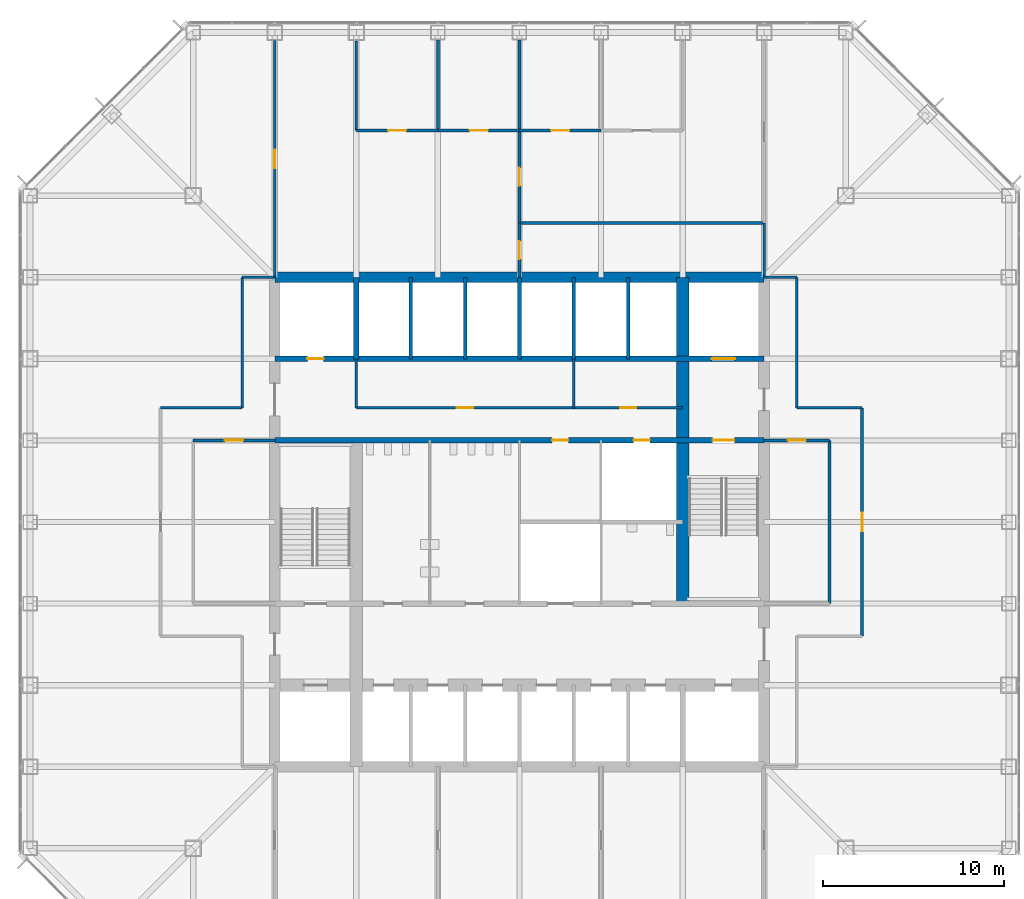
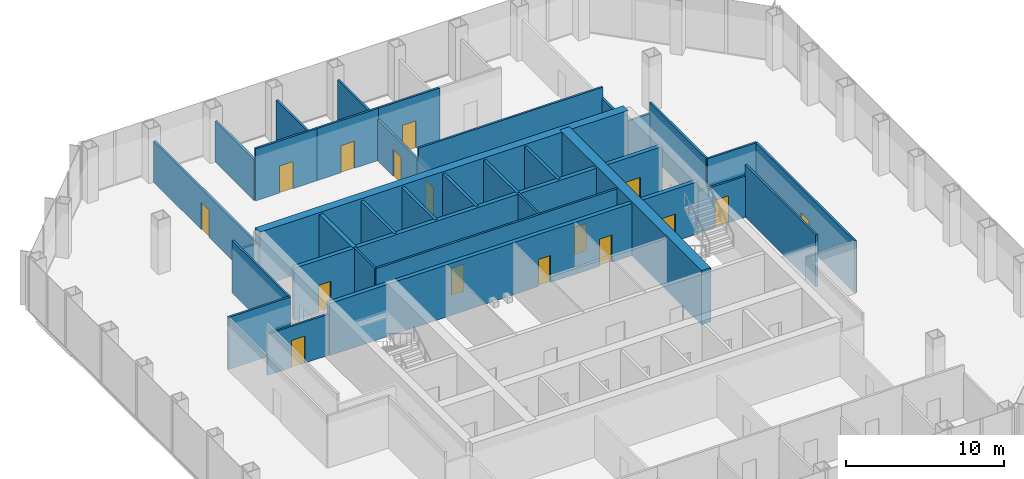
# One storey, part 10 of 13: 34 walls, 16 doors, 16 openings.
"""IFC4 building model written with IfcOpenShell, lengths in metres."""

from ifc_helpers import new_model, si_unit, direction, frame, frame_2d, origin, place, context, subcontext, project, spatial, rectangle, extrude, material, layer, layer_set, type_object, element, fill, save


model = new_model("IFC4")

# Units and contexts
model_context = context("Model", 3, precision=1e-05, world=origin(), true_north=direction((0.0, 1.0)))
body_context = subcontext(model_context, "Body", "Model", "MODEL_VIEW")
ifc_project = project(units=[si_unit("LENGTHUNIT", "METRE"), si_unit("AREAUNIT", "SQUARE_METRE"), si_unit("VOLUMEUNIT", "CUBIC_METRE"), si_unit("PLANEANGLEUNIT", "RADIAN"), si_unit("MASSUNIT", "GRAM", prefix="KILO")], contexts=[model_context])

# Site, building, storey
site_placement = place(None, origin())
site = spatial("IfcSite", under=ifc_project, at=site_placement, CompositionType="ELEMENT")
building_placement = place(site_placement, origin())
building = spatial("IfcBuilding", under=site, at=building_placement, Name="Corais Broadcast Tower", CompositionType="ELEMENT")
storey_placement = place(building_placement, frame((0.0, 0.0, 79.39990234375)))
storey = spatial("IfcBuildingStorey", under=building, at=storey_placement, Name="L17", CompositionType="ELEMENT", Elevation=79.39990234375)

# Wall
ifc_material_1 = material(Name="Concrete blockwork class A, grouted, two-hour", Category="masonry")
ifc_layer_1 = layer(ifc_material_1, 0.300048828125)
ifc_layer_set_1 = layer_set([ifc_layer_1], Name="Concrete blockwork class A, grouted, two-hour")
wall_type_1 = type_object("IfcWallType", Name="Core lobby wall 300", PredefinedType="SOLIDWALL", material=ifc_layer_set_1)
wall_1_placement = place(storey_placement, frame((18.0, 36.0, 0.0), z_axis=(0.0, 0.0, 1.0), x_axis=(0.0, 1.0, 0.0)))
element("IfcWall", 1, at=wall_1_placement, inside=storey, type_object=wall_type_1, Name="CL1 core shaft wall X18B L17", PredefinedType="SOLIDWALL", context=body_context, shape_type="SweptSolid", body=[
    extrude(rectangle(XDim=4.5, YDim=0.300048828125, at=frame_2d((2.25, 0.0))), origin(), (0.0, 0.0, 1.0), 4.0400390625),
])

# Wall, openings, doors
wall_2_placement = place(storey_placement, frame((13.5, 31.5, 0.0), z_axis=(0.0, 0.0, 1.0), x_axis=(1.0, 0.0, 0.0)))
wall_2 = element("IfcWall", 2, at=wall_2_placement, inside=storey, type_object=wall_type_1, Name="CL1 core lobby wall Y315 L17", PredefinedType="SOLIDWALL", context=body_context, shape_type="SweptSolid", body=[
    extrude(rectangle(XDim=27.0, YDim=0.300048828125, at=frame_2d((13.5, 0.0))), origin(), (0.0, 0.0, 1.0), 4.0400390625),
])
opening_1_placement = place(wall_2_placement, frame((24.14990234375, 0.0, 0.0)))
opening_1 = element("IfcOpeningElement", 3, at=opening_1_placement, cuts=wall_2, Name="Opening FD1", PredefinedType="OPENING", context=body_context, shape_type="SweptSolid", body=[
    extrude(rectangle(XDim=1.199951171875, YDim=2.10009765625, at=frame_2d((0.60009765625, 1.050048828125))), frame((0.0, 0.159912109375, 0.0), z_axis=(0.0, -1.0, 0.0), x_axis=(1.0, 0.0, 0.0)), (0.0, 0.0, 1.0), 0.320068359375),
])
opening_2_placement = place(wall_2_placement, frame((15.300048828125, 0.0, 0.0)))
opening_2 = element("IfcOpeningElement", 4, at=opening_2_placement, cuts=wall_2, Name="Opening RD1", PredefinedType="OPENING", context=body_context, shape_type="SweptSolid", body=[
    extrude(rectangle(XDim=0.89990234375, YDim=2.10009765625, at=frame_2d((0.449951171875, 1.050048828125))), frame((0.0, 0.159912109375, 0.0), z_axis=(0.0, -1.0, 0.0), x_axis=(1.0, 0.0, 0.0)), (0.0, 0.0, 1.0), 0.320068359375),
])
opening_3_placement = place(wall_2_placement, frame((19.800048828125, 0.0, 0.0)))
opening_3 = element("IfcOpeningElement", 5, at=opening_3_placement, cuts=wall_2, Name="Opening RD1", PredefinedType="OPENING", context=body_context, shape_type="SweptSolid", body=[
    extrude(rectangle(XDim=0.89990234375, YDim=2.10009765625, at=frame_2d((0.449951171875, 1.050048828125))), frame((0.0, 0.159912109375, 0.0), z_axis=(0.0, -1.0, 0.0), x_axis=(1.0, 0.0, 0.0)), (0.0, 0.0, 1.0), 0.320068359375),
])
ifc_material_2 = material(Name="Steel fire door", Category="steel")
door_type_1 = type_object("IfcDoorType", Name="Fire door 1200x2100", OperationType="SINGLE_SWING_LEFT", PredefinedType="DOOR", material=ifc_material_2)
door_1_placement = place(opening_1_placement, origin())
door_1 = element("IfcDoor", 6, at=door_1_placement, inside=storey, type_object=door_type_1, Name="FD1 stair B door L17", OperationType="SINGLE_SWING_RIGHT", OverallHeight=2.10009765625, OverallWidth=1.199951171875, PredefinedType="DOOR", context=body_context, shape_type="SweptSolid", body=[
    extrude(rectangle(XDim=1.199951171875, YDim=2.10009765625, at=frame_2d((0.60009765625, 1.050048828125))), frame((0.0, 0.02490234375, 0.0), z_axis=(0.0, -1.0, 0.0), x_axis=(1.0, 0.0, 0.0)), (0.0, 0.0, 1.0), 0.050048828125),
])
fill(opening_1, door_1)
ifc_material_3 = material(Name="Steel fire door", Category="steel")
door_type_2 = type_object("IfcDoorType", Name="Riser door 900x2100", OperationType="SINGLE_SWING_LEFT", PredefinedType="DOOR", material=ifc_material_3)
door_2_placement = place(opening_2_placement, origin())
door_2 = element("IfcDoor", 7, at=door_2_placement, inside=storey, type_object=door_type_2, Name="RD1 print room door L17", OperationType="SINGLE_SWING_RIGHT", OverallHeight=2.10009765625, OverallWidth=0.89990234375, PredefinedType="DOOR", context=body_context, shape_type="SweptSolid", body=[
    extrude(rectangle(XDim=0.89990234375, YDim=2.10009765625, at=frame_2d((0.449951171875, 1.050048828125))), frame((0.0, 0.02490234375, 0.0), z_axis=(0.0, -1.0, 0.0), x_axis=(1.0, 0.0, 0.0)), (0.0, 0.0, 1.0), 0.050048828125),
])
fill(opening_2, door_2)
door_3_placement = place(opening_3_placement, origin())
door_3 = element("IfcDoor", 8, at=door_3_placement, inside=storey, type_object=door_type_2, Name="RD1 riser door L17", OperationType="SINGLE_SWING_RIGHT", OverallHeight=2.10009765625, OverallWidth=0.89990234375, PredefinedType="DOOR", context=body_context, shape_type="SweptSolid", body=[
    extrude(rectangle(XDim=0.89990234375, YDim=2.10009765625, at=frame_2d((0.449951171875, 1.050048828125))), frame((0.0, 0.02490234375, 0.0), z_axis=(0.0, -1.0, 0.0), x_axis=(1.0, 0.0, 0.0)), (0.0, 0.0, 1.0), 0.050048828125),
])
fill(opening_3, door_3)

# Walls
ifc_material_4 = material(Name="Concrete C50/60", Category="concrete")
ifc_layer_2 = layer(ifc_material_4, 0.699951171875)
ifc_layer_set_2 = layer_set([ifc_layer_2], Name="Concrete C50/60")
wall_type_2 = type_object("IfcWallType", Name="Core spine wall 700", PredefinedType="SHEAR", material=ifc_layer_set_2)
wall_3_placement = place(storey_placement, frame((36.0, 22.5, 0.0), z_axis=(0.0, 0.0, 1.0), x_axis=(0.0, 1.0, 0.0)))
element("IfcWall", 9, at=wall_3_placement, inside=storey, type_object=wall_type_2, Name="CR700 core wall X36B L17", PredefinedType="SHEAR", context=body_context, shape_type="SweptSolid", body=[
    extrude(rectangle(XDim=18.0, YDim=0.699951171875, at=frame_2d((9.0, 0.0))), origin(), (0.0, 0.0, 1.0), 4.2001953125),
])
ifc_material_5 = material(Name="Concrete C50/60", Category="concrete")
ifc_layer_3 = layer(ifc_material_5, 0.60009765625)
ifc_layer_set_3 = layer_set([ifc_layer_3], Name="Concrete C50/60")
wall_type_3 = type_object("IfcWallType", Name="Core wall 600", PredefinedType="SHEAR", material=ifc_layer_set_3)
wall_4_placement = place(storey_placement, frame((40.5, 40.5, 0.0), z_axis=(0.0, 0.0, 1.0), x_axis=(-1.0, 0.0, 0.0)))
element("IfcWall", 10, at=wall_4_placement, inside=storey, type_object=wall_type_3, Name="CR600 core wall N L17", PredefinedType="SHEAR", context=body_context, shape_type="SweptSolid", body=[
    extrude(rectangle(XDim=27.0, YDim=0.60009765625, at=frame_2d((13.5, 0.0))), origin(), (0.0, 0.0, 1.0), 4.2001953125),
])

# Wall, openings, doors
ifc_material_6 = material(Name="Concrete blockwork class A, grouted, four-hour", Category="masonry")
ifc_layer_4 = layer(ifc_material_6, 0.300048828125)
ifc_layer_set_4 = layer_set([ifc_layer_4], Name="Concrete blockwork class A, grouted, four-hour")
wall_type_4 = type_object("IfcWallType", Name="Emergency lift shaft wall 300", PredefinedType="SOLIDWALL", material=ifc_layer_set_4)
wall_5_placement = place(storey_placement, frame((13.5, 36.0, 0.0), z_axis=(0.0, 0.0, 1.0), x_axis=(1.0, 0.0, 0.0)))
wall_5 = element("IfcWall", 11, at=wall_5_placement, inside=storey, type_object=wall_type_4, Name="LS1 core lobby wall Y36 L17", PredefinedType="SOLIDWALL", context=body_context, shape_type="SweptSolid", body=[
    extrude(rectangle(XDim=27.0, YDim=0.300048828125, at=frame_2d((13.5, 0.0))), origin(), (0.0, 0.0, 1.0), 4.0400390625),
])
opening_4_placement = place(wall_5_placement, frame((1.800048828125, 0.0, 0.0)))
opening_4 = element("IfcOpeningElement", 12, at=opening_4_placement, cuts=wall_5, Name="Opening RD1", PredefinedType="OPENING", context=body_context, shape_type="SweptSolid", body=[
    extrude(rectangle(XDim=0.89990234375, YDim=2.10009765625, at=frame_2d((0.449951171875, 1.050048828125))), frame((0.0, 0.159912109375, 0.0), z_axis=(0.0, -1.0, 0.0), x_axis=(1.0, 0.0, 0.0)), (0.0, 0.0, 1.0), 0.320068359375),
])
opening_5_placement = place(wall_5_placement, frame((24.10009765625, 0.0, 0.0)))
opening_5 = element("IfcOpeningElement", 13, at=opening_5_placement, cuts=wall_5, Name="Opening LD2", PredefinedType="OPENING", context=body_context, shape_type="SweptSolid", body=[
    extrude(rectangle(XDim=1.300048828125, YDim=2.199951171875, at=frame_2d((0.64990234375, 1.10009765625))), frame((0.0, 0.159912109375, 0.0), z_axis=(0.0, -1.0, 0.0), x_axis=(1.0, 0.0, 0.0)), (0.0, 0.0, 1.0), 0.320068359375),
])
ifc_material_7 = material(Name="Stainless steel lift door", Category="steel")
door_type_3 = type_object("IfcDoorType", Name="Lift landing door 1300x2200", OperationType="SLIDING_TO_LEFT", PredefinedType="DOOR", material=ifc_material_7)
door_4_placement = place(opening_5_placement, origin())
door_4 = element("IfcDoor", 14, at=door_4_placement, inside=storey, type_object=door_type_3, Name="LD2 FL2 landing door L17", OperationType="SLIDING_TO_LEFT", OverallHeight=2.199951171875, OverallWidth=1.300048828125, PredefinedType="DOOR", context=body_context, shape_type="SweptSolid", body=[
    extrude(rectangle(XDim=1.300048828125, YDim=2.199951171875, at=frame_2d((0.64990234375, 1.10009765625))), frame((0.0, 0.02490234375, 0.0), z_axis=(0.0, -1.0, 0.0), x_axis=(1.0, 0.0, 0.0)), (0.0, 0.0, 1.0), 0.050048828125),
])
fill(opening_5, door_4)
door_5_placement = place(opening_4_placement, origin())
door_5 = element("IfcDoor", 15, at=door_5_placement, inside=storey, type_object=door_type_2, Name="RD1 riser door L17", OperationType="SINGLE_SWING_LEFT", OverallHeight=2.10009765625, OverallWidth=0.89990234375, PredefinedType="DOOR", context=body_context, shape_type="SweptSolid", body=[
    extrude(rectangle(XDim=0.89990234375, YDim=2.10009765625, at=frame_2d((0.449951171875, 1.050048828125))), frame((0.0, 0.02490234375, 0.0), z_axis=(0.0, -1.0, 0.0), x_axis=(1.0, 0.0, 0.0)), (0.0, 0.0, 1.0), 0.050048828125),
])
fill(opening_4, door_5)

ifc_material_8 = material(Name="Two layers of fire-rated gypsum board each side on steel studs", Category="steel")
ifc_layer_5 = layer(ifc_material_8, 0.14990234375)
ifc_layer_set_5 = layer_set([ifc_layer_5], Name="Two layers of fire-rated gypsum board each side on steel studs")
wall_type_5 = type_object("IfcWallType", Name="Fire-rated partition 150 EI 60", PredefinedType="PARTITIONING", material=ifc_layer_set_5)
wall_6_placement = place(storey_placement, frame((18.0, 33.300048828125, 0.0), z_axis=(0.0, 0.0, 1.0), x_axis=(1.0, 0.0, 0.0)))
wall_6 = element("IfcWall", 16, at=wall_6_placement, inside=storey, type_object=wall_type_5, Name="IW7 partition L17", PredefinedType="PARTITIONING", context=body_context, shape_type="SweptSolid", body=[
    extrude(rectangle(XDim=18.0, YDim=0.14990234375, at=frame_2d((9.0, 0.0))), origin(), (0.0, 0.0, 1.0), 4.0400390625),
])
opening_6_placement = place(wall_6_placement, frame((5.550048828125, 0.0, 0.0)))
opening_6 = element("IfcOpeningElement", 17, at=opening_6_placement, cuts=wall_6, Name="Opening RD1", PredefinedType="OPENING", context=body_context, shape_type="SweptSolid", body=[
    extrude(rectangle(XDim=0.89990234375, YDim=2.10009765625, at=frame_2d((0.449951171875, 1.050048828125))), frame((0.0, 0.0849609375, 0.0), z_axis=(0.0, -1.0, 0.0), x_axis=(1.0, 0.0, 0.0)), (0.0, 0.0, 1.0), 0.169921875),
])
opening_7_placement = place(wall_6_placement, frame((14.550048828125, 0.0, 0.0)))
opening_7 = element("IfcOpeningElement", 18, at=opening_7_placement, cuts=wall_6, Name="Opening RD1", PredefinedType="OPENING", context=body_context, shape_type="SweptSolid", body=[
    extrude(rectangle(XDim=0.89990234375, YDim=2.10009765625, at=frame_2d((0.449951171875, 1.050048828125))), frame((0.0, 0.0849609375, 0.0), z_axis=(0.0, -1.0, 0.0), x_axis=(1.0, 0.0, 0.0)), (0.0, 0.0, 1.0), 0.169921875),
])
door_6_placement = place(opening_6_placement, origin())
door_6 = element("IfcDoor", 19, at=door_6_placement, inside=storey, type_object=door_type_2, Name="RD1 locker room door L17", OperationType="SINGLE_SWING_LEFT", OverallHeight=2.10009765625, OverallWidth=0.89990234375, PredefinedType="DOOR", context=body_context, shape_type="SweptSolid", body=[
    extrude(rectangle(XDim=0.89990234375, YDim=2.10009765625, at=frame_2d((0.449951171875, 1.050048828125))), frame((0.0, 0.02490234375, 0.0), z_axis=(0.0, -1.0, 0.0), x_axis=(1.0, 0.0, 0.0)), (0.0, 0.0, 1.0), 0.050048828125),
])
fill(opening_6, door_6)
door_7_placement = place(opening_7_placement, origin())
door_7 = element("IfcDoor", 20, at=door_7_placement, inside=storey, type_object=door_type_2, Name="RD1 it equipment room door L17", OperationType="SINGLE_SWING_RIGHT", OverallHeight=2.10009765625, OverallWidth=0.89990234375, PredefinedType="DOOR", context=body_context, shape_type="SweptSolid", body=[
    extrude(rectangle(XDim=0.89990234375, YDim=2.10009765625, at=frame_2d((0.449951171875, 1.050048828125))), frame((0.0, 0.02490234375, 0.0), z_axis=(0.0, -1.0, 0.0), x_axis=(1.0, 0.0, 0.0)), (0.0, 0.0, 1.0), 0.050048828125),
])
fill(opening_7, door_7)

# Walls
for number, where, z_axis, x_axis, name in (
    (21, (18.0, 33.300048828125, 0.0), (0.0, 0.0, 1.0), (0.0, 1.0, 0.0), "IW7 partition L17"),
    (22, (30.0, 33.300048828125, 0.0), (0.0, 0.0, 1.0), (0.0, 1.0, 0.0), "IW7 partition L17"),
):
    element("IfcWall", number, at=place(storey_placement, frame(where, z_axis=z_axis, x_axis=x_axis)), inside=storey, type_object=wall_type_5, Name=name, PredefinedType="PARTITIONING", context=body_context, shape_type="SweptSolid", body=[
        extrude(rectangle(XDim=2.699951171875, YDim=0.14990234375, at=frame_2d((1.35009765625, 0.0))), origin(), (0.0, 0.0, 1.0), 4.0400390625),
    ])

# Wall, opening, door
ifc_material_9 = material(Name="Gypsum board on steel studs", Category="steel")
ifc_layer_6 = layer(ifc_material_9, 0.14990234375)
ifc_layer_set_6 = layer_set([ifc_layer_6], Name="Gypsum board on steel studs")
wall_type_6 = type_object("IfcWallType", Name="Partition 150", PredefinedType="PARTITIONING", material=ifc_layer_set_6)
wall_7_placement = place(storey_placement, frame((45.89990234375, 20.699951171875, 0.0), z_axis=(0.0, 0.0, 1.0), x_axis=(0.0, 1.0, 0.0)))
wall_7 = element("IfcWall", 23, at=wall_7_placement, inside=storey, type_object=wall_type_6, Name="IW3 corridor wall L17", PredefinedType="PARTITIONING", context=body_context, shape_type="SweptSolid", body=[
    extrude(rectangle(XDim=12.60009765625, YDim=0.14990234375, at=frame_2d((6.300048828125, 0.0))), origin(), (0.0, 0.0, 1.0), 4.0400390625),
])
opening_8_placement = place(wall_7_placement, frame((5.800048828125, 0.0, 0.0)))
opening_8 = element("IfcOpeningElement", 24, at=opening_8_placement, cuts=wall_7, Name="Opening D1", PredefinedType="OPENING", context=body_context, shape_type="SweptSolid", body=[
    extrude(rectangle(XDim=1.0, YDim=2.10009765625, at=frame_2d((0.5, 1.050048828125))), frame((0.0, 0.0849609375, 0.0), z_axis=(0.0, -1.0, 0.0), x_axis=(1.0, 0.0, 0.0)), (0.0, 0.0, 1.0), 0.169921875),
])
ifc_material_10 = material(Name="Timber door", Category="wood")
door_type_4 = type_object("IfcDoorType", Name="Single door 1000x2100", OperationType="SINGLE_SWING_LEFT", PredefinedType="DOOR", material=ifc_material_10)
door_8_placement = place(opening_8_placement, origin())
door_8 = element("IfcDoor", 25, at=door_8_placement, inside=storey, type_object=door_type_4, Name="D1 workplace door L17", OperationType="SINGLE_SWING_LEFT", OverallHeight=2.10009765625, OverallWidth=1.0, PredefinedType="DOOR", context=body_context, shape_type="SweptSolid", body=[
    extrude(rectangle(XDim=1.0, YDim=2.10009765625, at=frame_2d((0.5, 1.050048828125))), frame((0.0, 0.02490234375, 0.0), z_axis=(0.0, -1.0, 0.0), x_axis=(1.0, 0.0, 0.0)), (0.0, 0.0, 1.0), 0.050048828125),
])
fill(opening_8, door_8)

# Walls
for number, where, z_axis, x_axis, name in (
    (26, (11.699951171875, 40.5, 0.0), (0.0, 0.0, 1.0), (0.0, -1.0, 0.0), "IW3 corridor wall L17"),
    (27, (42.300048828125, 33.300048828125, 0.0), (0.0, 0.0, 1.0), (0.0, 1.0, 0.0), "IW3 corridor wall L17"),
):
    element("IfcWall", number, at=place(storey_placement, frame(where, z_axis=z_axis, x_axis=x_axis)), inside=storey, type_object=wall_type_6, Name=name, PredefinedType="PARTITIONING", context=body_context, shape_type="SweptSolid", body=[
        extrude(rectangle(XDim=7.199951171875, YDim=0.14990234375, at=frame_2d((3.60009765625, 0.0))), origin(), (0.0, 0.0, 1.0), 4.0400390625),
    ])
wall_8_placement = place(storey_placement, frame((11.699951171875, 33.300048828125, 0.0), z_axis=(0.0, 0.0, 1.0), x_axis=(-1.0, 0.0, 0.0)))
element("IfcWall", 28, at=wall_8_placement, inside=storey, type_object=wall_type_6, Name="IW3 corridor wall L17", PredefinedType="PARTITIONING", context=body_context, shape_type="SweptSolid", body=[
    extrude(rectangle(XDim=4.5, YDim=0.14990234375, at=frame_2d((2.25, 0.0))), origin(), (0.0, 0.0, 1.0), 4.0400390625),
])
wall_9_placement = place(storey_placement, frame((45.89990234375, 33.300048828125, 0.0), z_axis=(0.0, 0.0, 1.0), x_axis=(-1.0, 0.0, 0.0)))
element("IfcWall", 29, at=wall_9_placement, inside=storey, type_object=wall_type_6, Name="IW3 corridor wall L17", PredefinedType="PARTITIONING", context=body_context, shape_type="SweptSolid", body=[
    extrude(rectangle(XDim=3.599853515625, YDim=0.14990234375, at=frame_2d((1.7998046875, 0.0))), origin(), (0.0, 0.0, 1.0), 4.0400390625),
])
wall_10_placement = place(storey_placement, frame((13.510009765625, 40.5, 0.0), z_axis=(0.0, 0.0, 1.0), x_axis=(-1.0, 0.0, 0.0)))
element("IfcWall", 30, at=wall_10_placement, inside=storey, type_object=wall_type_6, Name="IW3 corridor wall L17", PredefinedType="PARTITIONING", context=body_context, shape_type="SweptSolid", body=[
    extrude(rectangle(XDim=1.81005859375, YDim=0.14990234375, at=frame_2d((0.905029296875, 0.0))), origin(), (0.0, 0.0, 1.0), 3.189208984375),
])
wall_11_placement = place(storey_placement, frame((42.300048828125, 40.5, 0.0), z_axis=(0.0, 0.0, 1.0), x_axis=(-1.0, 0.0, 0.0)))
element("IfcWall", 31, at=wall_11_placement, inside=storey, type_object=wall_type_6, Name="IW3 corridor wall L17", PredefinedType="PARTITIONING", context=body_context, shape_type="SweptSolid", body=[
    extrude(rectangle(XDim=1.800048828125, YDim=0.14990234375, at=frame_2d((0.89990234375, 0.0))), origin(), (0.0, 0.0, 1.0), 3.189208984375),
])

# Wall, opening, door
wall_12_placement = place(storey_placement, frame((18.0, 48.60009765625, 0.0), z_axis=(0.0, 0.0, 1.0), x_axis=(1.0, 0.0, 0.0)))
wall_12 = element("IfcWall", 32, at=wall_12_placement, inside=storey, type_object=wall_type_6, Name="IW3 partition L17", PredefinedType="PARTITIONING", context=body_context, shape_type="SweptSolid", body=[
    extrude(rectangle(XDim=4.5, YDim=0.14990234375, at=frame_2d((2.25, 0.0))), origin(), (0.0, 0.0, 1.0), 4.0400390625),
])
opening_9_placement = place(wall_12_placement, frame((1.75, 0.0, 0.0)))
opening_9 = element("IfcOpeningElement", 33, at=opening_9_placement, cuts=wall_12, Name="Opening D1", PredefinedType="OPENING", context=body_context, shape_type="SweptSolid", body=[
    extrude(rectangle(XDim=1.0, YDim=2.10009765625, at=frame_2d((0.5, 1.050048828125))), frame((0.0, 0.0849609375, 0.0), z_axis=(0.0, -1.0, 0.0), x_axis=(1.0, 0.0, 0.0)), (0.0, 0.0, 1.0), 0.169921875),
])
door_9_placement = place(opening_9_placement, origin())
door_9 = element("IfcDoor", 34, at=door_9_placement, inside=storey, type_object=door_type_4, Name="D1 Office door", OperationType="SINGLE_SWING_LEFT", OverallHeight=2.10009765625, OverallWidth=1.0, PredefinedType="DOOR", context=body_context, shape_type="SweptSolid", body=[
    extrude(rectangle(XDim=1.0, YDim=2.10009765625, at=frame_2d((0.5, 1.050048828125))), frame((0.0, 0.02490234375, 0.0), z_axis=(0.0, -1.0, 0.0), x_axis=(1.0, 0.0, 0.0)), (0.0, 0.0, 1.0), 0.050048828125),
])
fill(opening_9, door_9)

# Walls
wall_13_placement = place(storey_placement, frame((22.5, 48.60009765625, 0.0), z_axis=(0.0, 0.0, 1.0), x_axis=(0.0, 1.0, 0.0)))
element("IfcWall", 35, at=wall_13_placement, inside=storey, type_object=wall_type_6, Name="IW3 partition L17", PredefinedType="PARTITIONING", context=body_context, shape_type="SweptSolid", body=[
    extrude(rectangle(XDim=4.989990234375, YDim=0.14990234375, at=frame_2d((2.4951171875, 0.0))), origin(), (0.0, 0.0, 1.0), 3.189208984375),
])
wall_14_placement = place(storey_placement, frame((18.0, 53.5400390625, 0.0), z_axis=(0.0, 0.0, 1.0), x_axis=(0.0, -1.0, 0.0)))
element("IfcWall", 36, at=wall_14_placement, inside=storey, type_object=wall_type_6, Name="IW3 partition L17", PredefinedType="PARTITIONING", context=body_context, shape_type="SweptSolid", body=[
    extrude(rectangle(XDim=4.93994140625, YDim=0.14990234375, at=frame_2d((2.469970703125, 0.0))), origin(), (0.0, 0.0, 1.0), 3.189208984375),
])

# Wall, opening, door
wall_15_placement = place(storey_placement, frame((22.5, 48.60009765625, 0.0), z_axis=(0.0, 0.0, 1.0), x_axis=(1.0, 0.0, 0.0)))
wall_15 = element("IfcWall", 37, at=wall_15_placement, inside=storey, type_object=wall_type_6, Name="IW3 partition L17", PredefinedType="PARTITIONING", context=body_context, shape_type="SweptSolid", body=[
    extrude(rectangle(XDim=4.5, YDim=0.14990234375, at=frame_2d((2.25, 0.0))), origin(), (0.0, 0.0, 1.0), 4.0400390625),
])
opening_10_placement = place(wall_15_placement, frame((1.75, 0.0, 0.0)))
opening_10 = element("IfcOpeningElement", 38, at=opening_10_placement, cuts=wall_15, Name="Opening D1", PredefinedType="OPENING", context=body_context, shape_type="SweptSolid", body=[
    extrude(rectangle(XDim=1.0, YDim=2.10009765625, at=frame_2d((0.5, 1.050048828125))), frame((0.0, 0.0849609375, 0.0), z_axis=(0.0, -1.0, 0.0), x_axis=(1.0, 0.0, 0.0)), (0.0, 0.0, 1.0), 0.169921875),
])
door_10_placement = place(opening_10_placement, origin())
door_10 = element("IfcDoor", 39, at=door_10_placement, inside=storey, type_object=door_type_4, Name="D1 Office door", OperationType="SINGLE_SWING_LEFT", OverallHeight=2.10009765625, OverallWidth=1.0, PredefinedType="DOOR", context=body_context, shape_type="SweptSolid", body=[
    extrude(rectangle(XDim=1.0, YDim=2.10009765625, at=frame_2d((0.5, 1.050048828125))), frame((0.0, 0.02490234375, 0.0), z_axis=(0.0, -1.0, 0.0), x_axis=(1.0, 0.0, 0.0)), (0.0, 0.0, 1.0), 0.050048828125),
])
fill(opening_10, door_10)

# Wall
wall_16_placement = place(storey_placement, frame((27.0, 48.60009765625, 0.0), z_axis=(0.0, 0.0, 1.0), x_axis=(0.0, 1.0, 0.0)))
element("IfcWall", 40, at=wall_16_placement, inside=storey, type_object=wall_type_6, Name="IW3 partition L17", PredefinedType="PARTITIONING", context=body_context, shape_type="SweptSolid", body=[
    extrude(rectangle(XDim=4.989990234375, YDim=0.14990234375, at=frame_2d((2.4951171875, 0.0))), origin(), (0.0, 0.0, 1.0), 3.189208984375),
])

# Wall, opening, door
wall_17_placement = place(storey_placement, frame((27.0, 48.60009765625, 0.0), z_axis=(0.0, 0.0, 1.0), x_axis=(1.0, 0.0, 0.0)))
wall_17 = element("IfcWall", 41, at=wall_17_placement, inside=storey, type_object=wall_type_6, Name="IW3 partition L17", PredefinedType="PARTITIONING", context=body_context, shape_type="SweptSolid", body=[
    extrude(rectangle(XDim=4.5, YDim=0.14990234375, at=frame_2d((2.25, 0.0))), origin(), (0.0, 0.0, 1.0), 4.0400390625),
])
opening_11_placement = place(wall_17_placement, frame((1.75, 0.0, 0.0)))
opening_11 = element("IfcOpeningElement", 42, at=opening_11_placement, cuts=wall_17, Name="Opening D1", PredefinedType="OPENING", context=body_context, shape_type="SweptSolid", body=[
    extrude(rectangle(XDim=1.0, YDim=2.10009765625, at=frame_2d((0.5, 1.050048828125))), frame((0.0, 0.0849609375, 0.0), z_axis=(0.0, -1.0, 0.0), x_axis=(1.0, 0.0, 0.0)), (0.0, 0.0, 1.0), 0.169921875),
])
door_11_placement = place(opening_11_placement, origin())
door_11 = element("IfcDoor", 43, at=door_11_placement, inside=storey, type_object=door_type_4, Name="D1 Office door", OperationType="SINGLE_SWING_LEFT", OverallHeight=2.10009765625, OverallWidth=1.0, PredefinedType="DOOR", context=body_context, shape_type="SweptSolid", body=[
    extrude(rectangle(XDim=1.0, YDim=2.10009765625, at=frame_2d((0.5, 1.050048828125))), frame((0.0, 0.02490234375, 0.0), z_axis=(0.0, -1.0, 0.0), x_axis=(1.0, 0.0, 0.0)), (0.0, 0.0, 1.0), 0.050048828125),
])
fill(opening_11, door_11)

wall_18_placement = place(storey_placement, frame((13.5, 31.5, 0.0), z_axis=(0.0, 0.0, 1.0), x_axis=(-1.0, 0.0, 0.0)))
wall_18 = element("IfcWall", 44, at=wall_18_placement, inside=storey, type_object=wall_type_6, Name="IW3 partition L17", PredefinedType="PARTITIONING", context=body_context, shape_type="SweptSolid", body=[
    extrude(rectangle(XDim=4.5, YDim=0.14990234375, at=frame_2d((2.25, 0.0))), origin(), (0.0, 0.0, 1.0), 3.189208984375),
])
opening_12_placement = place(wall_18_placement, frame((1.75, 0.0, 0.0)))
opening_12 = element("IfcOpeningElement", 45, at=opening_12_placement, cuts=wall_18, Name="Opening D1", PredefinedType="OPENING", context=body_context, shape_type="SweptSolid", body=[
    extrude(rectangle(XDim=1.0, YDim=2.10009765625, at=frame_2d((0.5, 1.050048828125))), frame((0.0, 0.0849609375, 0.0), z_axis=(0.0, -1.0, 0.0), x_axis=(1.0, 0.0, 0.0)), (0.0, 0.0, 1.0), 0.169921875),
])
door_12_placement = place(opening_12_placement, origin())
door_12 = element("IfcDoor", 46, at=door_12_placement, inside=storey, type_object=door_type_4, Name="D1 Meeting room door", OperationType="SINGLE_SWING_LEFT", OverallHeight=2.10009765625, OverallWidth=1.0, PredefinedType="DOOR", context=body_context, shape_type="SweptSolid", body=[
    extrude(rectangle(XDim=1.0, YDim=2.10009765625, at=frame_2d((0.5, 1.050048828125))), frame((0.0, 0.02490234375, 0.0), z_axis=(0.0, -1.0, 0.0), x_axis=(1.0, 0.0, 0.0)), (0.0, 0.0, 1.0), 0.050048828125),
])
fill(opening_12, door_12)

# Wall
wall_19_placement = place(storey_placement, frame((44.10009765625, 22.5, 0.0), z_axis=(0.0, 0.0, 1.0), x_axis=(0.0, 1.0, 0.0)))
element("IfcWall", 47, at=wall_19_placement, inside=storey, type_object=wall_type_6, Name="IW3 partition L17", PredefinedType="PARTITIONING", context=body_context, shape_type="SweptSolid", body=[
    extrude(rectangle(XDim=9.0, YDim=0.14990234375, at=frame_2d((4.5, 0.0))), origin(), (0.0, 0.0, 1.0), 4.0400390625),
])

# Wall, opening, door
wall_20_placement = place(storey_placement, frame((44.10009765625, 31.5, 0.0), z_axis=(0.0, 0.0, 1.0), x_axis=(-1.0, 0.0, 0.0)))
wall_20 = element("IfcWall", 48, at=wall_20_placement, inside=storey, type_object=wall_type_6, Name="IW3 partition L17", PredefinedType="PARTITIONING", context=body_context, shape_type="SweptSolid", body=[
    extrude(rectangle(XDim=3.60009765625, YDim=0.14990234375, at=frame_2d((1.800048828125, 0.0))), origin(), (0.0, 0.0, 1.0), 3.189208984375),
])
opening_13_placement = place(wall_20_placement, frame((1.300048828125, 0.0, 0.0)))
opening_13 = element("IfcOpeningElement", 49, at=opening_13_placement, cuts=wall_20, Name="Opening D1", PredefinedType="OPENING", context=body_context, shape_type="SweptSolid", body=[
    extrude(rectangle(XDim=1.0, YDim=2.10009765625, at=frame_2d((0.5, 1.050048828125))), frame((0.0, 0.0849609375, 0.0), z_axis=(0.0, -1.0, 0.0), x_axis=(1.0, 0.0, 0.0)), (0.0, 0.0, 1.0), 0.169921875),
])
door_13_placement = place(opening_13_placement, origin())
door_13 = element("IfcDoor", 50, at=door_13_placement, inside=storey, type_object=door_type_4, Name="D1 Pantry door", OperationType="SINGLE_SWING_LEFT", OverallHeight=2.10009765625, OverallWidth=1.0, PredefinedType="DOOR", context=body_context, shape_type="SweptSolid", body=[
    extrude(rectangle(XDim=1.0, YDim=2.10009765625, at=frame_2d((0.5, 1.050048828125))), frame((0.0, 0.02490234375, 0.0), z_axis=(0.0, -1.0, 0.0), x_axis=(1.0, 0.0, 0.0)), (0.0, 0.0, 1.0), 0.050048828125),
])
fill(opening_13, door_13)

# Walls
wall_21_placement = place(storey_placement, frame((40.5, 40.5, 0.0), z_axis=(0.0, 0.0, 1.0), x_axis=(0.0, 1.0, 0.0)))
element("IfcWall", 51, at=wall_21_placement, inside=storey, type_object=wall_type_6, Name="IW3 partition L17", PredefinedType="PARTITIONING", context=body_context, shape_type="SweptSolid", body=[
    extrude(rectangle(XDim=3.0, YDim=0.14990234375, at=frame_2d((1.5, 0.0))), origin(), (0.0, 0.0, 1.0), 3.189208984375),
])
wall_22_placement = place(storey_placement, frame((40.5, 43.5, 0.0), z_axis=(0.0, 0.0, 1.0), x_axis=(-1.0, 0.0, 0.0)))
element("IfcWall", 52, at=wall_22_placement, inside=storey, type_object=wall_type_6, Name="IW3 partition L17", PredefinedType="PARTITIONING", context=body_context, shape_type="SweptSolid", body=[
    extrude(rectangle(XDim=13.5, YDim=0.14990234375, at=frame_2d((6.75, 0.0))), origin(), (0.0, 0.0, 1.0), 4.0400390625),
])

# Wall, opening, door
wall_23_placement = place(storey_placement, frame((27.0, 43.5, 0.0), z_axis=(0.0, 0.0, 1.0), x_axis=(0.0, -1.0, 0.0)))
wall_23 = element("IfcWall", 53, at=wall_23_placement, inside=storey, type_object=wall_type_6, Name="IW3 partition L17", PredefinedType="PARTITIONING", context=body_context, shape_type="SweptSolid", body=[
    extrude(rectangle(XDim=3.0, YDim=0.14990234375, at=frame_2d((1.5, 0.0))), origin(), (0.0, 0.0, 1.0), 3.189208984375),
])
opening_14_placement = place(wall_23_placement, frame((1.0, 0.0, 0.0)))
opening_14 = element("IfcOpeningElement", 54, at=opening_14_placement, cuts=wall_23, Name="Opening D1", PredefinedType="OPENING", context=body_context, shape_type="SweptSolid", body=[
    extrude(rectangle(XDim=1.0, YDim=2.10009765625, at=frame_2d((0.5, 1.050048828125))), frame((0.0, 0.0849609375, 0.0), z_axis=(0.0, -1.0, 0.0), x_axis=(1.0, 0.0, 0.0)), (0.0, 0.0, 1.0), 0.169921875),
])
door_14_placement = place(opening_14_placement, origin())
door_14 = element("IfcDoor", 55, at=door_14_placement, inside=storey, type_object=door_type_4, Name="D1 Copy and print room door", OperationType="SINGLE_SWING_LEFT", OverallHeight=2.10009765625, OverallWidth=1.0, PredefinedType="DOOR", context=body_context, shape_type="SweptSolid", body=[
    extrude(rectangle(XDim=1.0, YDim=2.10009765625, at=frame_2d((0.5, 1.050048828125))), frame((0.0, 0.02490234375, 0.0), z_axis=(0.0, -1.0, 0.0), x_axis=(1.0, 0.0, 0.0)), (0.0, 0.0, 1.0), 0.050048828125),
])
fill(opening_14, door_14)

wall_24_placement = place(storey_placement, frame((13.5, 40.5, 0.0), z_axis=(0.0, 0.0, 1.0), x_axis=(0.0, 1.0, 0.0)))
wall_24 = element("IfcWall", 56, at=wall_24_placement, inside=storey, type_object=wall_type_6, Name="IW3 partition L17", PredefinedType="PARTITIONING", context=body_context, shape_type="SweptSolid", body=[
    extrude(rectangle(XDim=13.054931640625, YDim=0.14990234375, at=frame_2d((6.52734375, 0.0))), origin(), (0.0, 0.0, 1.0), 3.189208984375),
])
opening_15_placement = place(wall_24_placement, frame((6.027587890625, 0.0, 0.0)))
opening_15 = element("IfcOpeningElement", 57, at=opening_15_placement, cuts=wall_24, Name="Opening D1", PredefinedType="OPENING", context=body_context, shape_type="SweptSolid", body=[
    extrude(rectangle(XDim=1.0, YDim=2.10009765625, at=frame_2d((0.5, 1.050048828125))), frame((0.0, 0.0849609375, 0.0), z_axis=(0.0, -1.0, 0.0), x_axis=(1.0, 0.0, 0.0)), (0.0, 0.0, 1.0), 0.169921875),
])
door_15_placement = place(opening_15_placement, origin())
door_15 = element("IfcDoor", 58, at=door_15_placement, inside=storey, type_object=door_type_4, Name="D1 team room door L17", OperationType="SINGLE_SWING_LEFT", OverallHeight=2.10009765625, OverallWidth=1.0, PredefinedType="DOOR", context=body_context, shape_type="SweptSolid", body=[
    extrude(rectangle(XDim=1.0, YDim=2.10009765625, at=frame_2d((0.5, 1.050048828125))), frame((0.0, 0.02490234375, 0.0), z_axis=(0.0, -1.0, 0.0), x_axis=(1.0, 0.0, 0.0)), (0.0, 0.0, 1.0), 0.050048828125),
])
fill(opening_15, door_15)

wall_25_placement = place(storey_placement, frame((27.0, 48.60009765625, 0.0), z_axis=(0.0, 0.0, 1.0), x_axis=(0.0, -1.0, 0.0)))
wall_25 = element("IfcWall", 59, at=wall_25_placement, inside=storey, type_object=wall_type_6, Name="IW3 partition L17", PredefinedType="PARTITIONING", context=body_context, shape_type="SweptSolid", body=[
    extrude(rectangle(XDim=5.1201171875, YDim=0.14990234375, at=frame_2d((2.56005859375, 0.0))), origin(), (0.0, 0.0, 1.0), 3.189208984375),
])
opening_16_placement = place(wall_25_placement, frame((2.06005859375, 0.0, 0.0)))
opening_16 = element("IfcOpeningElement", 60, at=opening_16_placement, cuts=wall_25, Name="Opening D1", PredefinedType="OPENING", context=body_context, shape_type="SweptSolid", body=[
    extrude(rectangle(XDim=1.0, YDim=2.10009765625, at=frame_2d((0.5, 1.050048828125))), frame((0.0, 0.0849609375, 0.0), z_axis=(0.0, -1.0, 0.0), x_axis=(1.0, 0.0, 0.0)), (0.0, 0.0, 1.0), 0.169921875),
])
door_16_placement = place(opening_16_placement, origin())
door_16 = element("IfcDoor", 61, at=door_16_placement, inside=storey, type_object=door_type_4, Name="D1 team room door L17", OperationType="SINGLE_SWING_LEFT", OverallHeight=2.10009765625, OverallWidth=1.0, PredefinedType="DOOR", context=body_context, shape_type="SweptSolid", body=[
    extrude(rectangle(XDim=1.0, YDim=2.10009765625, at=frame_2d((0.5, 1.050048828125))), frame((0.0, 0.02490234375, 0.0), z_axis=(0.0, -1.0, 0.0), x_axis=(1.0, 0.0, 0.0)), (0.0, 0.0, 1.0), 0.050048828125),
])
fill(opening_16, door_16)

# Walls
ifc_material_11 = material(Name="Concrete blockwork class A, grouted, two-hour", Category="masonry")
ifc_layer_7 = layer(ifc_material_11, 0.199951171875)
ifc_layer_set_7 = layer_set([ifc_layer_7], Name="Concrete blockwork class A, grouted, two-hour")
wall_type_7 = type_object("IfcWallType", Name="Shaft wall 200", PredefinedType="PARTITIONING", material=ifc_layer_set_7)
for number, where, z_axis, x_axis, name in (
    (62, (21.0, 36.0, 0.0), (0.0, 0.0, 1.0), (0.0, 1.0, 0.0), "IW1 shaft wall L17"),
    (63, (24.0, 36.0, 0.0), (0.0, 0.0, 1.0), (0.0, 1.0, 0.0), "IW1 shaft wall L17"),
    (64, (27.0, 36.0, 0.0), (0.0, 0.0, 1.0), (0.0, 1.0, 0.0), "IW1 shaft wall L17"),
    (65, (30.0, 36.0, 0.0), (0.0, 0.0, 1.0), (0.0, 1.0, 0.0), "IW1 shaft wall L17"),
    (66, (33.0, 36.0, 0.0), (0.0, 0.0, 1.0), (0.0, 1.0, 0.0), "IW1 shaft wall L17"),
):
    element("IfcWall", number, at=place(storey_placement, frame(where, z_axis=z_axis, x_axis=x_axis)), inside=storey, type_object=wall_type_7, Name=name, PredefinedType="PARTITIONING", context=body_context, shape_type="SweptSolid", body=[
        extrude(rectangle(XDim=4.5, YDim=0.199951171875, at=frame_2d((2.25, 0.0))), origin(), (0.0, 0.0, 1.0), 4.0400390625),
    ])

save(model, "model.ifc")
